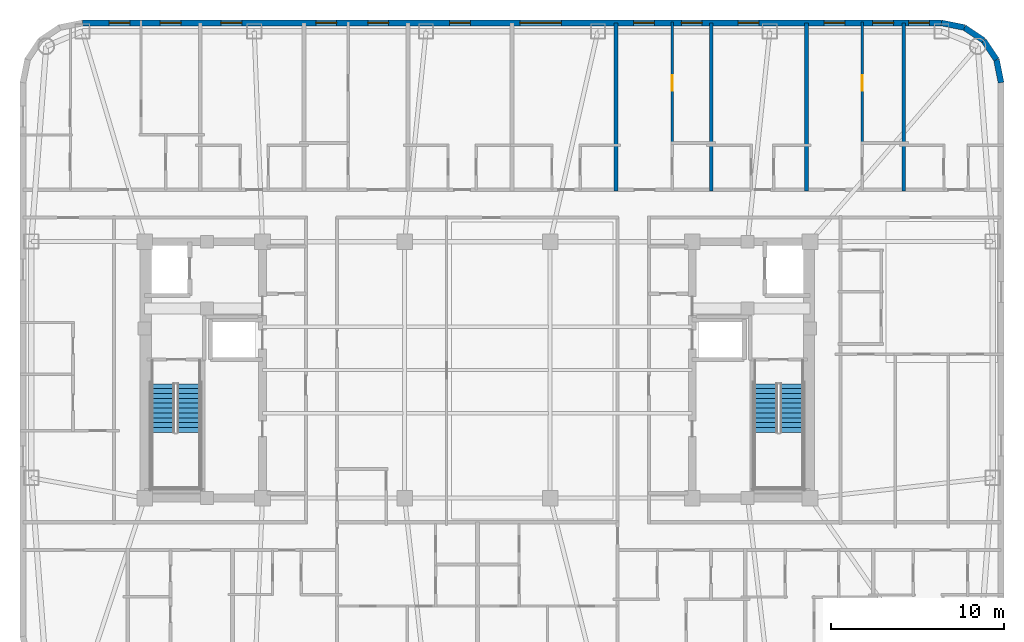
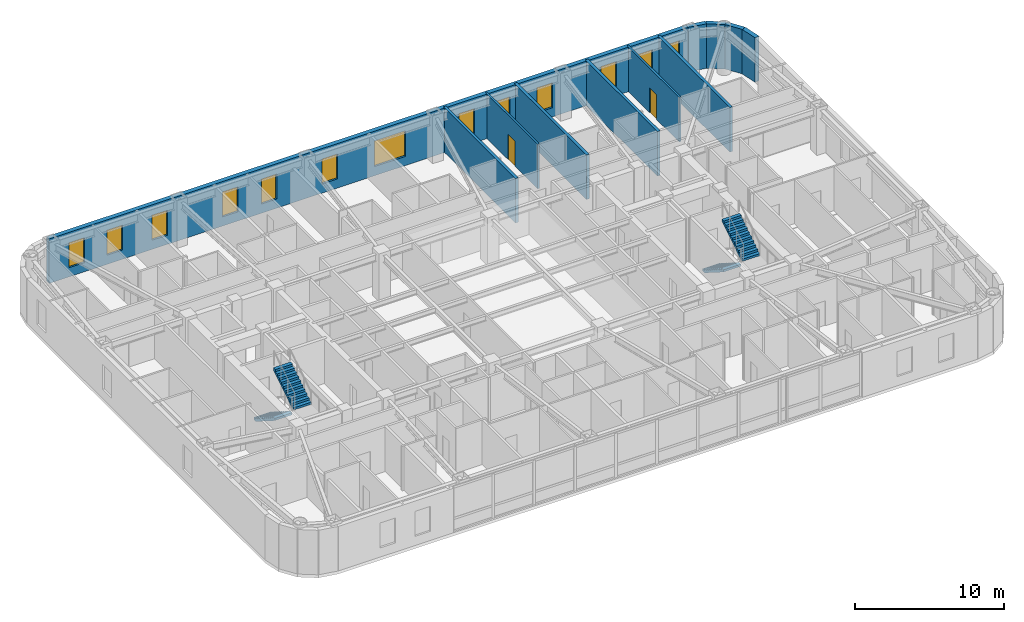
# One storey, part 14 of 16: 13 windows, 11 walls, 4 stair flights, 2 doors, 15 openings, 2 elements without a shape of their own.
"""IFC4 building model written with IfcOpenShell, lengths in metres."""

from ifc_helpers import new_model, si_unit, direction, frame, frame_2d, origin, place, context, subcontext, project, spatial, polyline, rectangle, outline, extrude, material, layer, layer_set, type_object, element, fill, aggregate, save


model = new_model("IFC4")

# Units and contexts
model_context = context("Model", 3, precision=1e-05, world=origin(), true_north=direction((0.0, 1.0)))
body_context = subcontext(model_context, "Body", "Model", "MODEL_VIEW")
ifc_project = project(units=[si_unit("LENGTHUNIT", "METRE"), si_unit("AREAUNIT", "SQUARE_METRE"), si_unit("VOLUMEUNIT", "CUBIC_METRE"), si_unit("PLANEANGLEUNIT", "RADIAN"), si_unit("MASSUNIT", "GRAM", prefix="KILO")], contexts=[model_context])

# Site, building, storey
site_placement = place(None, origin())
site = spatial("IfcSite", under=ifc_project, at=site_placement, CompositionType="ELEMENT")
building_placement = place(site_placement, origin())
building = spatial("IfcBuilding", under=site, at=building_placement, Name="Voryun Gate Residences", CompositionType="ELEMENT")
storey_placement = place(building_placement, frame((0.0, 0.0, 208.0)))
storey = spatial("IfcBuildingStorey", under=building, at=storey_placement, Name="L51", CompositionType="ELEMENT", Elevation=208.0)

# Wall, openings, windows
ifc_material_1 = material(Name="Charcoal terracotta masonry", Category="masonry")
ifc_layer_1 = layer(ifc_material_1, 0.340087890625, Name="W_EXT_TERRACOTTA_340")
ifc_layer_set_1 = layer_set([ifc_layer_1], Name="Charcoal terracotta masonry")
wall_type_1 = type_object("IfcWallType", Name="W_EXT_TERRACOTTA_340", PredefinedType="ELEMENTEDWALL", material=ifc_layer_set_1)
wall_1_placement = place(storey_placement, frame((-22.783203125, 20.030029296875, 0.0), z_axis=(0.0, 0.0, 1.0), x_axis=(1.0, 0.0, 0.0)))
wall_1 = element("IfcWall", 1, at=wall_1_placement, inside=storey, type_object=wall_type_1, Name="Exterior wall WEXT-L51-11", PredefinedType="ELEMENTEDWALL", context=body_context, shape_type="SweptSolid", body=[
    extrude(rectangle(XDim=49.56640625, YDim=0.340087890625, at=frame_2d((24.783203125, 0.0))), origin(), (0.0, 0.0, 1.0), 3.64990234375),
])
opening_1_placement = place(wall_1_placement, frame((25.2333984375, 0.0, 0.75)))
opening_1 = element("IfcOpeningElement", 2, at=opening_1_placement, cuts=wall_1, Name="Opening WN2", PredefinedType="OPENING", context=body_context, shape_type="SweptSolid", body=[
    extrude(rectangle(XDim=2.39990234375, YDim=2.10009765625, at=frame_2d((1.199951171875, 1.050048828125))), frame((0.0, 0.179931640625, 0.0), z_axis=(0.0, -1.0, 0.0), x_axis=(1.0, 0.0, 0.0)), (0.0, 0.0, 1.0), 0.360107421875),
])
opening_2_placement = place(wall_1_placement, frame((1.53173828125, 0.0, 0.75)))
opening_2 = element("IfcOpeningElement", 3, at=opening_2_placement, cuts=wall_1, Name="Opening WN6", PredefinedType="OPENING", context=body_context, shape_type="SweptSolid", body=[
    extrude(rectangle(XDim=1.199951171875, YDim=2.050048828125, at=frame_2d((0.60009765625, 1.02490234375))), frame((0.0, 0.179931640625, 0.0), z_axis=(0.0, -1.0, 0.0), x_axis=(1.0, 0.0, 0.0)), (0.0, 0.0, 1.0), 0.360107421875),
])
opening_3_placement = place(wall_1_placement, frame((4.478271484375, 0.0, 0.75)))
opening_3 = element("IfcOpeningElement", 4, at=opening_3_placement, cuts=wall_1, Name="Opening WN6", PredefinedType="OPENING", context=body_context, shape_type="SweptSolid", body=[
    extrude(rectangle(XDim=1.199951171875, YDim=2.050048828125, at=frame_2d((0.60009765625, 1.02490234375))), frame((0.0, 0.179931640625, 0.0), z_axis=(0.0, -1.0, 0.0), x_axis=(1.0, 0.0, 0.0)), (0.0, 0.0, 1.0), 0.360107421875),
])
opening_4_placement = place(wall_1_placement, frame((7.9833984375, 0.0, 0.75)))
opening_4 = element("IfcOpeningElement", 5, at=opening_4_placement, cuts=wall_1, Name="Opening WN6", PredefinedType="OPENING", context=body_context, shape_type="SweptSolid", body=[
    extrude(rectangle(XDim=1.199951171875, YDim=2.050048828125, at=frame_2d((0.60009765625, 1.02490234375))), frame((0.0, 0.179931640625, 0.0), z_axis=(0.0, -1.0, 0.0), x_axis=(1.0, 0.0, 0.0)), (0.0, 0.0, 1.0), 0.360107421875),
])
opening_5_placement = place(wall_1_placement, frame((16.459716796875, 0.0, 0.75)))
opening_5 = element("IfcOpeningElement", 6, at=opening_5_placement, cuts=wall_1, Name="Opening WN6", PredefinedType="OPENING", context=body_context, shape_type="SweptSolid", body=[
    extrude(rectangle(XDim=1.199951171875, YDim=2.050048828125, at=frame_2d((0.60009765625, 1.02490234375))), frame((0.0, 0.179931640625, 0.0), z_axis=(0.0, -1.0, 0.0), x_axis=(1.0, 0.0, 0.0)), (0.0, 0.0, 1.0), 0.360107421875),
])
opening_6_placement = place(wall_1_placement, frame((13.459716796875, 0.0, 0.75)))
opening_6 = element("IfcOpeningElement", 7, at=opening_6_placement, cuts=wall_1, Name="Opening WN6", PredefinedType="OPENING", context=body_context, shape_type="SweptSolid", body=[
    extrude(rectangle(XDim=1.199951171875, YDim=2.050048828125, at=frame_2d((0.60009765625, 1.02490234375))), frame((0.0, 0.179931640625, 0.0), z_axis=(0.0, -1.0, 0.0), x_axis=(1.0, 0.0, 0.0)), (0.0, 0.0, 1.0), 0.360107421875),
])
opening_7_placement = place(wall_1_placement, frame((21.183349609375, 0.0, 0.75)))
opening_7 = element("IfcOpeningElement", 8, at=opening_7_placement, cuts=wall_1, Name="Opening WN6", PredefinedType="OPENING", context=body_context, shape_type="SweptSolid", body=[
    extrude(rectangle(XDim=1.199951171875, YDim=2.050048828125, at=frame_2d((0.60009765625, 1.02490234375))), frame((0.0, 0.179931640625, 0.0), z_axis=(0.0, -1.0, 0.0), x_axis=(1.0, 0.0, 0.0)), (0.0, 0.0, 1.0), 0.360107421875),
])
opening_8_placement = place(wall_1_placement, frame((31.808349609375, 0.0, 0.75)))
opening_8 = element("IfcOpeningElement", 9, at=opening_8_placement, cuts=wall_1, Name="Opening WN6", PredefinedType="OPENING", context=body_context, shape_type="SweptSolid", body=[
    extrude(rectangle(XDim=1.199951171875, YDim=2.050048828125, at=frame_2d((0.60009765625, 1.02490234375))), frame((0.0, 0.179931640625, 0.0), z_axis=(0.0, -1.0, 0.0), x_axis=(1.0, 0.0, 0.0)), (0.0, 0.0, 1.0), 0.360107421875),
])
opening_9_placement = place(wall_1_placement, frame((34.558349609375, 0.0, 0.75)))
opening_9 = element("IfcOpeningElement", 10, at=opening_9_placement, cuts=wall_1, Name="Opening WN6", PredefinedType="OPENING", context=body_context, shape_type="SweptSolid", body=[
    extrude(rectangle(XDim=1.199951171875, YDim=2.050048828125, at=frame_2d((0.60009765625, 1.02490234375))), frame((0.0, 0.179931640625, 0.0), z_axis=(0.0, -1.0, 0.0), x_axis=(1.0, 0.0, 0.0)), (0.0, 0.0, 1.0), 0.360107421875),
])
opening_10_placement = place(wall_1_placement, frame((37.833251953125, 0.0, 0.75)))
opening_10 = element("IfcOpeningElement", 11, at=opening_10_placement, cuts=wall_1, Name="Opening WN6", PredefinedType="OPENING", context=body_context, shape_type="SweptSolid", body=[
    extrude(rectangle(XDim=1.199951171875, YDim=2.050048828125, at=frame_2d((0.60009765625, 1.02490234375))), frame((0.0, 0.179931640625, 0.0), z_axis=(0.0, -1.0, 0.0), x_axis=(1.0, 0.0, 0.0)), (0.0, 0.0, 1.0), 0.360107421875),
])
opening_11_placement = place(wall_1_placement, frame((42.796875, 0.0, 0.75)))
opening_11 = element("IfcOpeningElement", 12, at=opening_11_placement, cuts=wall_1, Name="Opening WN6", PredefinedType="OPENING", context=body_context, shape_type="SweptSolid", body=[
    extrude(rectangle(XDim=1.199951171875, YDim=2.050048828125, at=frame_2d((0.60009765625, 1.02490234375))), frame((0.0, 0.179931640625, 0.0), z_axis=(0.0, -1.0, 0.0), x_axis=(1.0, 0.0, 0.0)), (0.0, 0.0, 1.0), 0.360107421875),
])
opening_12_placement = place(wall_1_placement, frame((45.605712890625, 0.0, 0.75)))
opening_12 = element("IfcOpeningElement", 13, at=opening_12_placement, cuts=wall_1, Name="Opening WN6", PredefinedType="OPENING", context=body_context, shape_type="SweptSolid", body=[
    extrude(rectangle(XDim=1.199951171875, YDim=2.050048828125, at=frame_2d((0.60009765625, 1.02490234375))), frame((0.0, 0.179931640625, 0.0), z_axis=(0.0, -1.0, 0.0), x_axis=(1.0, 0.0, 0.0)), (0.0, 0.0, 1.0), 0.360107421875),
])
opening_13_placement = place(wall_1_placement, frame((47.678955078125, 0.0, 0.75)))
opening_13 = element("IfcOpeningElement", 14, at=opening_13_placement, cuts=wall_1, Name="Opening WN6", PredefinedType="OPENING", context=body_context, shape_type="SweptSolid", body=[
    extrude(rectangle(XDim=1.199951171875, YDim=2.050048828125, at=frame_2d((0.60009765625, 1.02490234375))), frame((0.0, 0.179931640625, 0.0), z_axis=(0.0, -1.0, 0.0), x_axis=(1.0, 0.0, 0.0)), (0.0, 0.0, 1.0), 0.360107421875),
])
ifc_material_2 = material(Name="Laminated low-E glass", Category="glass")
window_type_1 = type_object("IfcWindowType", Name="WN_POD_SLOT_1200", PartitioningType="SINGLE_PANEL", PredefinedType="WINDOW", material=ifc_material_2)
window_1_placement = place(opening_2_placement, origin())
window_1 = element("IfcWindow", 15, at=window_1_placement, inside=storey, type_object=window_type_1, Name="Window WN-L51-DWFIX-01", OverallHeight=2.050048828125, OverallWidth=1.199951171875, PartitioningType="SINGLE_PANEL", PredefinedType="WINDOW", context=body_context, shape_type="SweptSolid", body=[
    extrude(rectangle(XDim=1.199951171875, YDim=2.050048828125, at=frame_2d((0.60009765625, 1.02490234375))), frame((0.0, 0.030029296875, 0.0), z_axis=(0.0, -1.0, 0.0), x_axis=(1.0, 0.0, 0.0)), (0.0, 0.0, 1.0), 0.06005859375),
])
fill(opening_2, window_1)
window_2_placement = place(opening_3_placement, origin())
window_2 = element("IfcWindow", 16, at=window_2_placement, inside=storey, type_object=window_type_1, Name="Window WN-L51-DWFIX-03", OverallHeight=2.050048828125, OverallWidth=1.199951171875, PartitioningType="SINGLE_PANEL", PredefinedType="WINDOW", context=body_context, shape_type="SweptSolid", body=[
    extrude(rectangle(XDim=1.199951171875, YDim=2.050048828125, at=frame_2d((0.60009765625, 1.02490234375))), frame((0.0, 0.030029296875, 0.0), z_axis=(0.0, -1.0, 0.0), x_axis=(1.0, 0.0, 0.0)), (0.0, 0.0, 1.0), 0.06005859375),
])
fill(opening_3, window_2)
window_3_placement = place(opening_4_placement, origin())
window_3 = element("IfcWindow", 17, at=window_3_placement, inside=storey, type_object=window_type_1, Name="Window WN-L51-DWFIX-04", OverallHeight=2.050048828125, OverallWidth=1.199951171875, PartitioningType="SINGLE_PANEL", PredefinedType="WINDOW", context=body_context, shape_type="SweptSolid", body=[
    extrude(rectangle(XDim=1.199951171875, YDim=2.050048828125, at=frame_2d((0.60009765625, 1.02490234375))), frame((0.0, 0.030029296875, 0.0), z_axis=(0.0, -1.0, 0.0), x_axis=(1.0, 0.0, 0.0)), (0.0, 0.0, 1.0), 0.06005859375),
])
fill(opening_4, window_3)
window_4_placement = place(opening_5_placement, origin())
window_4 = element("IfcWindow", 18, at=window_4_placement, inside=storey, type_object=window_type_1, Name="Window WN-L51-DWFIX-05", OverallHeight=2.050048828125, OverallWidth=1.199951171875, PartitioningType="SINGLE_PANEL", PredefinedType="WINDOW", context=body_context, shape_type="SweptSolid", body=[
    extrude(rectangle(XDim=1.199951171875, YDim=2.050048828125, at=frame_2d((0.60009765625, 1.02490234375))), frame((0.0, 0.030029296875, 0.0), z_axis=(0.0, -1.0, 0.0), x_axis=(1.0, 0.0, 0.0)), (0.0, 0.0, 1.0), 0.06005859375),
])
fill(opening_5, window_4)
window_5_placement = place(opening_6_placement, origin())
window_5 = element("IfcWindow", 19, at=window_5_placement, inside=storey, type_object=window_type_1, Name="Window WN-L51-DWFIX-06", OverallHeight=2.050048828125, OverallWidth=1.199951171875, PartitioningType="SINGLE_PANEL", PredefinedType="WINDOW", context=body_context, shape_type="SweptSolid", body=[
    extrude(rectangle(XDim=1.199951171875, YDim=2.050048828125, at=frame_2d((0.60009765625, 1.02490234375))), frame((0.0, 0.030029296875, 0.0), z_axis=(0.0, -1.0, 0.0), x_axis=(1.0, 0.0, 0.0)), (0.0, 0.0, 1.0), 0.06005859375),
])
fill(opening_6, window_5)
window_6_placement = place(opening_7_placement, origin())
window_6 = element("IfcWindow", 20, at=window_6_placement, inside=storey, type_object=window_type_1, Name="Window WN-L51-DWFIX-07", OverallHeight=2.050048828125, OverallWidth=1.199951171875, PartitioningType="SINGLE_PANEL", PredefinedType="WINDOW", context=body_context, shape_type="SweptSolid", body=[
    extrude(rectangle(XDim=1.199951171875, YDim=2.050048828125, at=frame_2d((0.60009765625, 1.02490234375))), frame((0.0, 0.030029296875, 0.0), z_axis=(0.0, -1.0, 0.0), x_axis=(1.0, 0.0, 0.0)), (0.0, 0.0, 1.0), 0.06005859375),
])
fill(opening_7, window_6)
window_7_placement = place(opening_8_placement, origin())
window_7 = element("IfcWindow", 21, at=window_7_placement, inside=storey, type_object=window_type_1, Name="Window WN-L51-DWFIX-08", OverallHeight=2.050048828125, OverallWidth=1.199951171875, PartitioningType="SINGLE_PANEL", PredefinedType="WINDOW", context=body_context, shape_type="SweptSolid", body=[
    extrude(rectangle(XDim=1.199951171875, YDim=2.050048828125, at=frame_2d((0.60009765625, 1.02490234375))), frame((0.0, 0.030029296875, 0.0), z_axis=(0.0, -1.0, 0.0), x_axis=(1.0, 0.0, 0.0)), (0.0, 0.0, 1.0), 0.06005859375),
])
fill(opening_8, window_7)
window_8_placement = place(opening_9_placement, origin())
window_8 = element("IfcWindow", 22, at=window_8_placement, inside=storey, type_object=window_type_1, Name="Window WN-L51-DWFIX-09", OverallHeight=2.050048828125, OverallWidth=1.199951171875, PartitioningType="SINGLE_PANEL", PredefinedType="WINDOW", context=body_context, shape_type="SweptSolid", body=[
    extrude(rectangle(XDim=1.199951171875, YDim=2.050048828125, at=frame_2d((0.60009765625, 1.02490234375))), frame((0.0, 0.030029296875, 0.0), z_axis=(0.0, -1.0, 0.0), x_axis=(1.0, 0.0, 0.0)), (0.0, 0.0, 1.0), 0.06005859375),
])
fill(opening_9, window_8)
window_9_placement = place(opening_10_placement, origin())
window_9 = element("IfcWindow", 23, at=window_9_placement, inside=storey, type_object=window_type_1, Name="Window WN-L51-DWFIX-10", OverallHeight=2.050048828125, OverallWidth=1.199951171875, PartitioningType="SINGLE_PANEL", PredefinedType="WINDOW", context=body_context, shape_type="SweptSolid", body=[
    extrude(rectangle(XDim=1.199951171875, YDim=2.050048828125, at=frame_2d((0.60009765625, 1.02490234375))), frame((0.0, 0.030029296875, 0.0), z_axis=(0.0, -1.0, 0.0), x_axis=(1.0, 0.0, 0.0)), (0.0, 0.0, 1.0), 0.06005859375),
])
fill(opening_10, window_9)
window_10_placement = place(opening_11_placement, origin())
window_10 = element("IfcWindow", 24, at=window_10_placement, inside=storey, type_object=window_type_1, Name="Window WN-L51-DWFIX-11", OverallHeight=2.050048828125, OverallWidth=1.199951171875, PartitioningType="SINGLE_PANEL", PredefinedType="WINDOW", context=body_context, shape_type="SweptSolid", body=[
    extrude(rectangle(XDim=1.199951171875, YDim=2.050048828125, at=frame_2d((0.60009765625, 1.02490234375))), frame((0.0, 0.030029296875, 0.0), z_axis=(0.0, -1.0, 0.0), x_axis=(1.0, 0.0, 0.0)), (0.0, 0.0, 1.0), 0.06005859375),
])
fill(opening_11, window_10)
window_11_placement = place(opening_12_placement, origin())
window_11 = element("IfcWindow", 25, at=window_11_placement, inside=storey, type_object=window_type_1, Name="Window WN-L51-DWFIX-12", OverallHeight=2.050048828125, OverallWidth=1.199951171875, PartitioningType="SINGLE_PANEL", PredefinedType="WINDOW", context=body_context, shape_type="SweptSolid", body=[
    extrude(rectangle(XDim=1.199951171875, YDim=2.050048828125, at=frame_2d((0.60009765625, 1.02490234375))), frame((0.0, 0.030029296875, 0.0), z_axis=(0.0, -1.0, 0.0), x_axis=(1.0, 0.0, 0.0)), (0.0, 0.0, 1.0), 0.06005859375),
])
fill(opening_12, window_11)
window_12_placement = place(opening_13_placement, origin())
window_12 = element("IfcWindow", 26, at=window_12_placement, inside=storey, type_object=window_type_1, Name="Window WN-L51-DWFIX-13", OverallHeight=2.050048828125, OverallWidth=1.199951171875, PartitioningType="SINGLE_PANEL", PredefinedType="WINDOW", context=body_context, shape_type="SweptSolid", body=[
    extrude(rectangle(XDim=1.199951171875, YDim=2.050048828125, at=frame_2d((0.60009765625, 1.02490234375))), frame((0.0, 0.030029296875, 0.0), z_axis=(0.0, -1.0, 0.0), x_axis=(1.0, 0.0, 0.0)), (0.0, 0.0, 1.0), 0.06005859375),
])
fill(opening_13, window_12)
ifc_material_3 = material(Name="Laminated low-E glass", Category="glass")
window_type_2 = type_object("IfcWindowType", Name="WN_RES_WIDE_2400", PartitioningType="SINGLE_PANEL", PredefinedType="WINDOW", material=ifc_material_3)
window_13_placement = place(opening_1_placement, origin())
window_13 = element("IfcWindow", 27, at=window_13_placement, inside=storey, type_object=window_type_2, Name="Window WN-WEXT-L51-11-02", OverallHeight=2.10009765625, OverallWidth=2.39990234375, PartitioningType="SINGLE_PANEL", PredefinedType="WINDOW", context=body_context, shape_type="SweptSolid", body=[
    extrude(rectangle(XDim=2.39990234375, YDim=2.10009765625, at=frame_2d((1.199951171875, 1.050048828125))), frame((0.0, 0.030029296875, 0.0), z_axis=(0.0, -1.0, 0.0), x_axis=(1.0, 0.0, 0.0)), (0.0, 0.0, 1.0), 0.06005859375),
])
fill(opening_1, window_13)

# Walls
wall_2_placement = place(storey_placement, frame((26.783203125, 20.030029296875, 0.0), z_axis=(0.0, 0.0, 1.0), x_axis=(0.980788153188, -0.195075878998, 0.0)))
element("IfcWall", 28, at=wall_2_placement, inside=storey, type_object=wall_type_1, Name="Exterior wall WEXT-L51-12", PredefinedType="ELEMENTEDWALL", context=body_context, shape_type="SweptSolid", body=[
    extrude(rectangle(XDim=1.354248046875, YDim=0.340087890625, at=frame_2d((0.67724609375, 0.0))), origin(), (0.0, 0.0, 1.0), 3.64990234375),
])
for number, where, z_axis, x_axis, name in (
    (29, (28.111328125, 19.765869140625, 0.0), (0.0, 0.0, 1.0), (0.831403586725, -0.555669034571, 0.0), "Exterior wall WEXT-L51-13"),
    (30, (29.222900390625, 19.02294921875, 0.0), (0.0, 0.0, 1.0), (0.555669034571, -0.831403586725, 0.0), "Exterior wall WEXT-L51-14"),
):
    element("IfcWall", number, at=place(storey_placement, frame(where, z_axis=z_axis, x_axis=x_axis)), inside=storey, type_object=wall_type_1, Name=name, PredefinedType="ELEMENTEDWALL", context=body_context, shape_type="SweptSolid", body=[
        extrude(rectangle(XDim=1.3369140625, YDim=0.340087890625, at=frame_2d((0.66845703125, 0.0))), origin(), (0.0, 0.0, 1.0), 3.64990234375),
    ])
wall_3_placement = place(storey_placement, frame((29.9658203125, 17.911376953125, 0.0), z_axis=(0.0, 0.0, 1.0), x_axis=(0.195075878998, -0.980788153188, 0.0)))
element("IfcWall", 31, at=wall_3_placement, inside=storey, type_object=wall_type_1, Name="Exterior wall WEXT-L51-15", PredefinedType="ELEMENTEDWALL", context=body_context, shape_type="SweptSolid", body=[
    extrude(rectangle(XDim=1.354248046875, YDim=0.340087890625, at=frame_2d((0.67724609375, 0.0))), origin(), (0.0, 0.0, 1.0), 3.64990234375),
])
ifc_material_4 = material(Name="Concrete C40/50", Category="concrete")
ifc_layer_2 = layer(ifc_material_4, 0.219970703125, Name="W_PARTY_ACOUSTIC_220")
ifc_layer_set_2 = layer_set([ifc_layer_2], Name="Concrete C40/50")
wall_type_2 = type_object("IfcWallType", Name="W_PARTY_ACOUSTIC_220", PredefinedType="PARTITIONING", material=ifc_layer_set_2)
for number, where, z_axis, x_axis, name in (
    (32, (8.0, 10.320068359375, 0.0), (0.0, 0.0, 1.0), (0.0, 1.0, 0.0), "Partition wall WP-L51-NPTY-5"),
    (33, (13.5, 10.320068359375, 0.0), (0.0, 0.0, 1.0), (0.0, 1.0, 0.0), "Partition wall WP-L51-NPTY-6"),
    (34, (19.0, 10.320068359375, 0.0), (0.0, 0.0, 1.0), (0.0, 1.0, 0.0), "Partition wall WP-L51-NPTY-7"),
    (35, (24.617919921875, 10.320068359375, 0.0), (0.0, 0.0, 1.0), (0.0, 1.0, 0.0), "Partition wall WP-L51-NPTY-8"),
):
    element("IfcWall", number, at=place(storey_placement, frame(where, z_axis=z_axis, x_axis=x_axis)), inside=storey, type_object=wall_type_2, Name=name, PredefinedType="PARTITIONING", context=body_context, shape_type="SweptSolid", body=[
        extrude(rectangle(XDim=9.7099609375, YDim=0.219970703125, at=frame_2d((4.85498046875, 0.0))), origin(), (0.0, 0.0, 1.0), 3.64990234375),
    ])

# Wall, opening, door
ifc_material_5 = material(Name="Gypsum moisture-resistant partition")
ifc_layer_3 = layer(ifc_material_5, 0.14990234375, Name="W_WET_PLUMB_150")
ifc_layer_set_3 = layer_set([ifc_layer_3], Name="Gypsum moisture-resistant partition")
wall_type_3 = type_object("IfcWallType", Name="W_WET_PLUMB_150", PredefinedType="PLUMBINGWALL", material=ifc_layer_set_3)
wall_4_placement = place(storey_placement, frame((11.25, 13.06005859375, 0.0), z_axis=(0.0, 0.0, 1.0), x_axis=(0.0, 1.0, 0.0)))
wall_4 = element("IfcWall", 36, at=wall_4_placement, inside=storey, type_object=wall_type_3, Name="Partition wall WP-L51-N6-SVT2", PredefinedType="PLUMBINGWALL", context=body_context, shape_type="SweptSolid", body=[
    extrude(rectangle(XDim=7.016845703125, YDim=0.14990234375, at=frame_2d((3.50830078125, 0.0))), origin(), (0.0, 0.0, 1.0), 3.64990234375),
])
opening_14_placement = place(wall_4_placement, frame((3.058349609375, 0.0, 0.0)))
opening_14 = element("IfcOpeningElement", 37, at=opening_14_placement, cuts=wall_4, Name="Opening D-INT-2", PredefinedType="OPENING", context=body_context, shape_type="SweptSolid", body=[
    extrude(rectangle(XDim=0.89990234375, YDim=2.050048828125, at=frame_2d((0.449951171875, 1.02490234375))), frame((0.0, 0.0849609375, 0.0), z_axis=(0.0, -1.0, 0.0), x_axis=(1.0, 0.0, 0.0)), (0.0, 0.0, 1.0), 0.169921875),
])
ifc_material_6 = material(Name="Architectural oak veneer")
door_type = type_object("IfcDoorType", Name="DR_INT_BATH_900", OperationType="NOTDEFINED", PredefinedType="DOOR", material=ifc_material_6)
door_1_placement = place(opening_14_placement, origin())
door_1 = element("IfcDoor", 38, at=door_1_placement, inside=storey, type_object=door_type, Name="Door DR-L51-N6-DK", OperationType="SINGLE_SWING_RIGHT", OverallHeight=2.050048828125, OverallWidth=0.89990234375, PredefinedType="DOOR", context=body_context, shape_type="SweptSolid", body=[
    extrude(rectangle(XDim=0.89990234375, YDim=2.050048828125, at=frame_2d((0.449951171875, 1.02490234375))), frame((0.0, 0.02490234375, 0.0), z_axis=(0.0, -1.0, 0.0), x_axis=(1.0, 0.0, 0.0)), (0.0, 0.0, 1.0), 0.050048828125),
])
fill(opening_14, door_1)

wall_5_placement = place(storey_placement, frame((22.22705078125, 13.06005859375, 0.0), z_axis=(0.0, 0.0, 1.0), x_axis=(0.0, 1.0, 0.0)))
wall_5 = element("IfcWall", 39, at=wall_5_placement, inside=storey, type_object=wall_type_3, Name="Partition wall WP-L51-N8-SVT2", PredefinedType="PLUMBINGWALL", context=body_context, shape_type="SweptSolid", body=[
    extrude(rectangle(XDim=7.016845703125, YDim=0.14990234375, at=frame_2d((3.50830078125, 0.0))), origin(), (0.0, 0.0, 1.0), 3.64990234375),
])
opening_15_placement = place(wall_5_placement, frame((3.058349609375, 0.0, 0.0)))
opening_15 = element("IfcOpeningElement", 40, at=opening_15_placement, cuts=wall_5, Name="Opening D-INT-2", PredefinedType="OPENING", context=body_context, shape_type="SweptSolid", body=[
    extrude(rectangle(XDim=0.89990234375, YDim=2.050048828125, at=frame_2d((0.449951171875, 1.02490234375))), frame((0.0, 0.0849609375, 0.0), z_axis=(0.0, -1.0, 0.0), x_axis=(1.0, 0.0, 0.0)), (0.0, 0.0, 1.0), 0.169921875),
])
door_2_placement = place(opening_15_placement, origin())
door_2 = element("IfcDoor", 41, at=door_2_placement, inside=storey, type_object=door_type, Name="Door DR-L51-N8-DK", OperationType="SINGLE_SWING_RIGHT", OverallHeight=2.050048828125, OverallWidth=0.89990234375, PredefinedType="DOOR", context=body_context, shape_type="SweptSolid", body=[
    extrude(rectangle(XDim=0.89990234375, YDim=2.050048828125, at=frame_2d((0.449951171875, 1.02490234375))), frame((0.0, 0.02490234375, 0.0), z_axis=(0.0, -1.0, 0.0), x_axis=(1.0, 0.0, 0.0)), (0.0, 0.0, 1.0), 0.050048828125),
])
fill(opening_15, door_2)

# Stair, stair flights
ifc_material_7 = material(Name="Concrete C40/50", Category="concrete")
stair_type = type_object("IfcStairType", Name="STR_CORE_DOGLEG_1350", PredefinedType="HALF_TURN_STAIR", material=ifc_material_7)
stair_1_placement = place(storey_placement, origin())
stair_1 = element("IfcStair", 42, at=stair_1_placement, inside=storey, type_object=stair_type, Name="L51 Special Escape Stair ST-W1", PredefinedType="HALF_TURN_STAIR")
ifc_material_8 = material(Name="Concrete C40/50", Category="concrete")
stair_flight_type = type_object("IfcStairFlightType", Name="FLT_CORE_1350", PredefinedType="STRAIGHT", material=ifc_material_8)
stair_flight_1_placement = place(storey_placement, frame((-18.14990234375, -0.800048828125, 0.0), z_axis=(0.0, 0.0, 1.0), x_axis=(0.0, -1.0, 0.0)))
stair_flight_1 = element("IfcStairFlight", 43, at=stair_flight_1_placement, type_object=stair_flight_type, Name="ST-W1 flight 1", NumberOfRisers=11, NumberOfTreads=10, PredefinedType="STRAIGHT", RiserHeight=0.177272727, TreadLength=0.28, context=body_context, shape_type="SweptSolid", body=[
    extrude(outline(polyline([(0.0, 0.0), (0.0, 0.17724609375), (0.280029296875, 0.17724609375), (0.280029296875, 0.3544921875), (0.56005859375, 0.3544921875), (0.56005859375, 0.53173828125), (0.840087890625, 0.53173828125), (0.840087890625, 0.708984375), (1.1201171875, 0.708984375), (1.1201171875, 0.886474609375), (1.39990234375, 0.886474609375), (1.39990234375, 1.063720703125), (1.679931640625, 1.063720703125), (1.679931640625, 1.240966796875), (1.9599609375, 1.240966796875), (1.9599609375, 1.418212890625), (2.239990234375, 1.418212890625), (2.239990234375, 1.595458984375), (2.52001953125, 1.595458984375), (2.52001953125, 1.772705078125), (2.800048828125, 1.772705078125), (2.800048828125, 1.949951171875), (2.800048828125, 1.59521484375), (0.2802734375, 0.0), (0.0, 0.0)])), frame((0.0, 0.675048828125, 0.0), z_axis=(0.0, -1.0, 0.0), x_axis=(1.0, 0.0, 0.0)), (0.0, 0.0, 1.0), 1.35009765625),
])
stair_flight_2_placement = place(storey_placement, frame((-16.64990234375, -3.60009765625, 1.949951171875), z_axis=(0.0, 0.0, 1.0), x_axis=(0.0, 1.0, 0.0)))
stair_flight_2 = element("IfcStairFlight", 44, at=stair_flight_2_placement, type_object=stair_flight_type, Name="ST-W1 flight 2", NumberOfRisers=11, NumberOfTreads=10, PredefinedType="STRAIGHT", RiserHeight=0.177272727, TreadLength=0.28, context=body_context, shape_type="SweptSolid", body=[
    extrude(outline(polyline([(0.0, 0.0), (0.0, 0.17724609375), (0.280029296875, 0.17724609375), (0.280029296875, 0.3544921875), (0.56005859375, 0.3544921875), (0.56005859375, 0.53173828125), (0.840087890625, 0.53173828125), (0.840087890625, 0.708984375), (1.1201171875, 0.708984375), (1.1201171875, 0.886474609375), (1.39990234375, 0.886474609375), (1.39990234375, 1.063720703125), (1.679931640625, 1.063720703125), (1.679931640625, 1.240966796875), (1.9599609375, 1.240966796875), (1.9599609375, 1.418212890625), (2.239990234375, 1.418212890625), (2.239990234375, 1.595458984375), (2.52001953125, 1.595458984375), (2.52001953125, 1.772705078125), (2.800048828125, 1.772705078125), (2.800048828125, 1.949951171875), (2.800048828125, 1.59521484375), (0.2802734375, 0.0), (0.0, 0.0)])), frame((0.0, 0.675048828125, 0.0), z_axis=(0.0, -1.0, 0.0), x_axis=(1.0, 0.0, 0.0)), (0.0, 0.0, 1.0), 1.35009765625),
])
aggregate(stair_1, [stair_flight_1, stair_flight_2])

stair_2_placement = place(storey_placement, origin())
stair_2 = element("IfcStair", 45, at=stair_2_placement, inside=storey, type_object=stair_type, Name="L51 Special Escape Stair ST-E1", PredefinedType="HALF_TURN_STAIR")
stair_flight_3_placement = place(storey_placement, frame((16.64990234375, -0.800048828125, 0.0), z_axis=(0.0, 0.0, 1.0), x_axis=(0.0, -1.0, 0.0)))
stair_flight_3 = element("IfcStairFlight", 46, at=stair_flight_3_placement, type_object=stair_flight_type, Name="ST-E1 flight 1", NumberOfRisers=11, NumberOfTreads=10, PredefinedType="STRAIGHT", RiserHeight=0.177272727, TreadLength=0.28, context=body_context, shape_type="SweptSolid", body=[
    extrude(outline(polyline([(0.0, 0.0), (0.0, 0.17724609375), (0.280029296875, 0.17724609375), (0.280029296875, 0.3544921875), (0.56005859375, 0.3544921875), (0.56005859375, 0.53173828125), (0.840087890625, 0.53173828125), (0.840087890625, 0.708984375), (1.1201171875, 0.708984375), (1.1201171875, 0.886474609375), (1.39990234375, 0.886474609375), (1.39990234375, 1.063720703125), (1.679931640625, 1.063720703125), (1.679931640625, 1.240966796875), (1.9599609375, 1.240966796875), (1.9599609375, 1.418212890625), (2.239990234375, 1.418212890625), (2.239990234375, 1.595458984375), (2.52001953125, 1.595458984375), (2.52001953125, 1.772705078125), (2.800048828125, 1.772705078125), (2.800048828125, 1.949951171875), (2.800048828125, 1.59521484375), (0.2802734375, 0.0), (0.0, 0.0)])), frame((0.0, 0.675048828125, 0.0), z_axis=(0.0, -1.0, 0.0), x_axis=(1.0, 0.0, 0.0)), (0.0, 0.0, 1.0), 1.35009765625),
])
stair_flight_4_placement = place(storey_placement, frame((18.14990234375, -3.60009765625, 1.949951171875), z_axis=(0.0, 0.0, 1.0), x_axis=(0.0, 1.0, 0.0)))
stair_flight_4 = element("IfcStairFlight", 47, at=stair_flight_4_placement, type_object=stair_flight_type, Name="ST-E1 flight 2", NumberOfRisers=11, NumberOfTreads=10, PredefinedType="STRAIGHT", RiserHeight=0.177272727, TreadLength=0.28, context=body_context, shape_type="SweptSolid", body=[
    extrude(outline(polyline([(0.0, 0.0), (0.0, 0.17724609375), (0.280029296875, 0.17724609375), (0.280029296875, 0.3544921875), (0.56005859375, 0.3544921875), (0.56005859375, 0.53173828125), (0.840087890625, 0.53173828125), (0.840087890625, 0.708984375), (1.1201171875, 0.708984375), (1.1201171875, 0.886474609375), (1.39990234375, 0.886474609375), (1.39990234375, 1.063720703125), (1.679931640625, 1.063720703125), (1.679931640625, 1.240966796875), (1.9599609375, 1.240966796875), (1.9599609375, 1.418212890625), (2.239990234375, 1.418212890625), (2.239990234375, 1.595458984375), (2.52001953125, 1.595458984375), (2.52001953125, 1.772705078125), (2.800048828125, 1.772705078125), (2.800048828125, 1.949951171875), (2.800048828125, 1.59521484375), (0.2802734375, 0.0), (0.0, 0.0)])), frame((0.0, 0.675048828125, 0.0), z_axis=(0.0, -1.0, 0.0), x_axis=(1.0, 0.0, 0.0)), (0.0, 0.0, 1.0), 1.35009765625),
])
aggregate(stair_2, [stair_flight_3, stair_flight_4])

save(model, "model.ifc")
